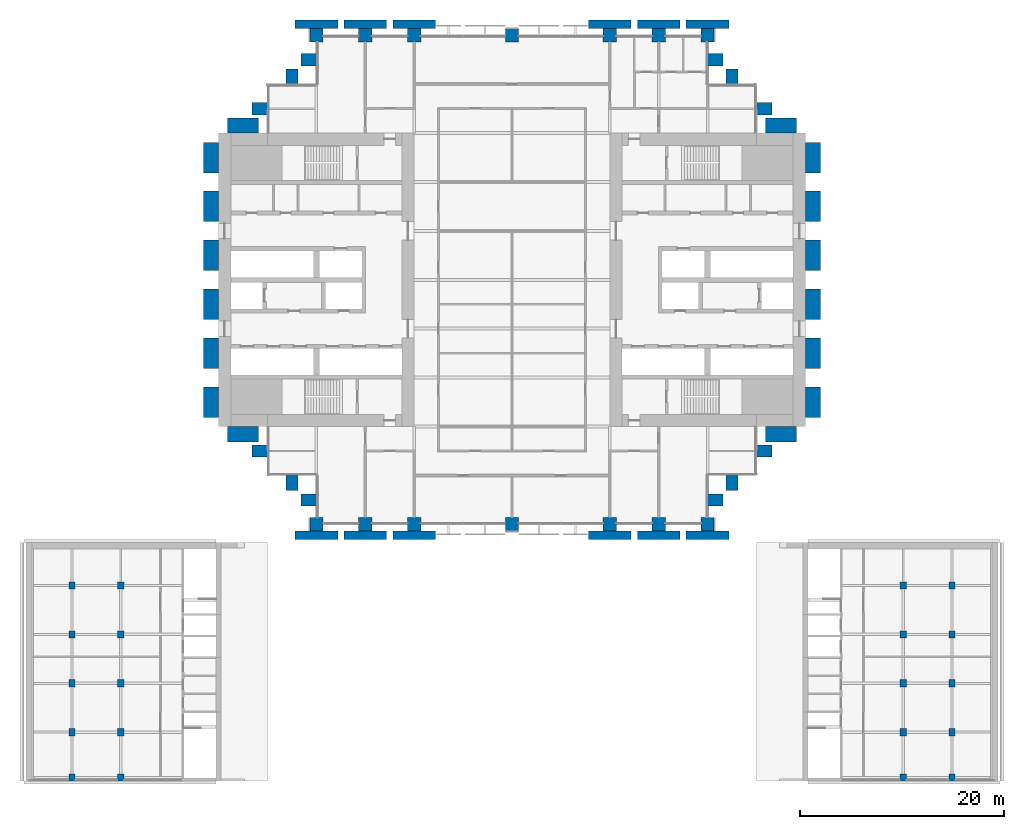
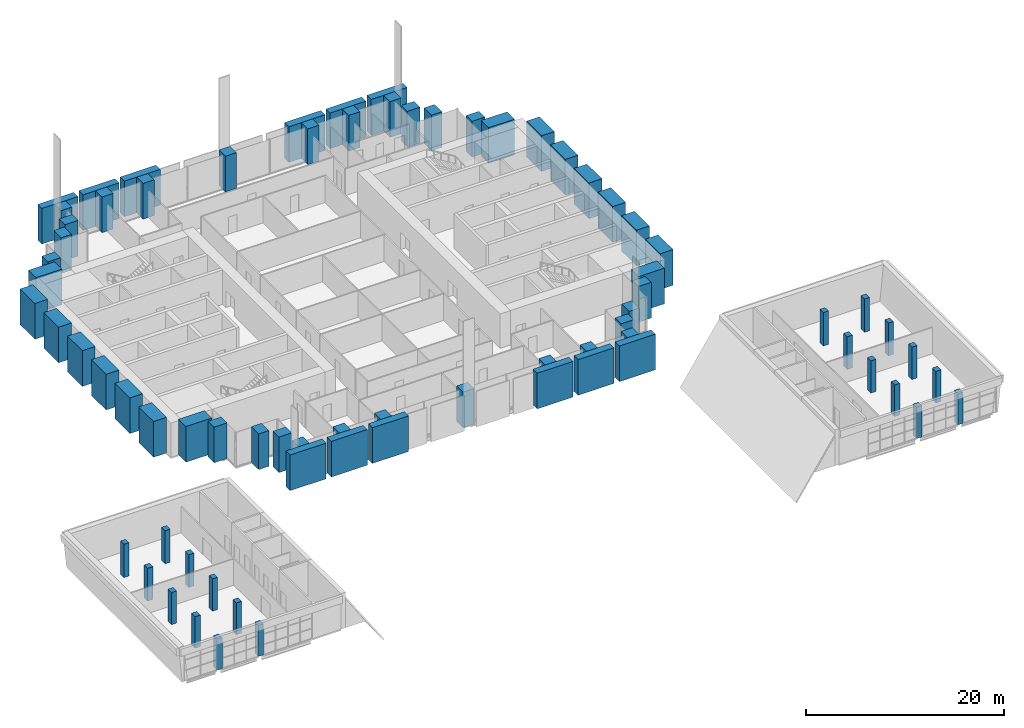
# One storey, part 1 of 22: 74 columns.
"""IFC4 building model written with IfcOpenShell, lengths in metres."""

from ifc_helpers import new_model, si_unit, direction, frame, origin, origin_2d, place, context, subcontext, project, spatial, rectangle, extrude, material, material_profile, profile_set, type_object, element, save


model = new_model("IFC4")

# Units and contexts
model_context = context("Model", 3, precision=1e-05, world=origin(), true_north=direction((0.0, 1.0)))
body_context = subcontext(model_context, "Body", "Model", "MODEL_VIEW")
ifc_project = project(units=[si_unit("LENGTHUNIT", "METRE"), si_unit("AREAUNIT", "SQUARE_METRE"), si_unit("VOLUMEUNIT", "CUBIC_METRE"), si_unit("PLANEANGLEUNIT", "RADIAN"), si_unit("MASSUNIT", "GRAM", prefix="KILO")], contexts=[model_context])

# Site, building, storey
site_placement = place(None, origin())
site = spatial("IfcSite", under=ifc_project, at=site_placement, CompositionType="ELEMENT")
building_placement = place(site_placement, origin())
building = spatial("IfcBuilding", under=site, at=building_placement, Name="Baori Bourse Tower", CompositionType="ELEMENT")
storey_placement = place(building_placement, frame((0.0, 0.0, 25.800048828125)))
storey = spatial("IfcBuildingStorey", under=building, at=storey_placement, Name="L04", CompositionType="ELEMENT", Elevation=25.800048828125)

# Columns
ifc_material_1 = material(Name="Concrete f'c 60 MPa", Category="concrete")
ifc_material_profile_1 = material_profile(ifc_material_1, rectangle(XDim=1.199951171875, YDim=1.5, at=origin_2d()), Name="RC 1200x1500")
ifc_profile_set_1 = profile_set([ifc_material_profile_1], Name="Concrete f'c 60 MPa")
column_type_1 = type_object("IfcColumnType", Name="FN2 Brick pilaster", PredefinedType="PILASTER", material=ifc_profile_set_1)
for number, where, z_axis, x_axis, name in (
    (1, (53.550048828125, 40.800048828125, 0.0), (0.0, 0.0, 1.0), (0.0, 1.0, 0.0), "Brick pilaster L04 1"),
    (2, (50.39990234375, 43.949951171875, 0.0), (0.0, 0.0, 1.0), (1.0, 0.0, 0.0), "Brick pilaster L04 2"),
    (3, (48.75, 45.60009765625, 0.0), (0.0, 0.0, 1.0), (0.0, 1.0, 0.0), "Brick pilaster L04 3"),
    (4, (8.85009765625, 45.60009765625, 0.0), (0.0, 0.0, 1.0), (0.0, 1.0, 0.0), "Brick pilaster L04 4"),
    (5, (7.199951171875, 43.949951171875, 0.0), (0.0, 0.0, 1.0), (1.0, 0.0, 0.0), "Brick pilaster L04 5"),
    (6, (4.050048828125, 40.800048828125, 0.0), (0.0, 0.0, 1.0), (0.0, 1.0, 0.0), "Brick pilaster L04 6"),
    (7, (4.050048828125, 7.199951171875, 0.0), (0.0, 0.0, 1.0), (0.0, 1.0, 0.0), "Brick pilaster L04 7"),
    (8, (7.199951171875, 4.050048828125, 0.0), (0.0, 0.0, 1.0), (1.0, 0.0, 0.0), "Brick pilaster L04 8"),
    (9, (8.85009765625, 2.39990234375, 0.0), (0.0, 0.0, 1.0), (0.0, 1.0, 0.0), "Brick pilaster L04 9"),
    (10, (48.75, 2.39990234375, 0.0), (0.0, 0.0, 1.0), (0.0, 1.0, 0.0), "Brick pilaster L04 10"),
    (11, (50.39990234375, 4.050048828125, 0.0), (0.0, 0.0, 1.0), (1.0, 0.0, 0.0), "Brick pilaster L04 11"),
    (12, (53.550048828125, 7.199951171875, 0.0), (0.0, 0.0, 1.0), (0.0, 1.0, 0.0), "Brick pilaster L04 12"),
):
    element("IfcColumn", number, at=place(storey_placement, frame(where, z_axis=z_axis, x_axis=x_axis)), inside=storey, type_object=column_type_1, Name=name, PredefinedType="PILASTER", context=body_context, shape_type="SweptSolid", body=[
        extrude(rectangle(XDim=1.199951171875, YDim=1.5, at=origin_2d()), origin(), (0.0, 0.0, 1.0), 4.39990234375),
    ])
ifc_material_2 = material(Name="Concrete f'c 60 MPa", Category="concrete")
ifc_material_profile_2 = material_profile(ifc_material_2, rectangle(XDim=4.199951171875, YDim=0.85009765625, at=origin_2d()), Name="RC 4200x850")
ifc_profile_set_2 = profile_set([ifc_material_profile_2], Name="Concrete f'c 60 MPa")
column_type_2 = type_object("IfcColumnType", Name="FN3 Brick pilaster 4200x850", PredefinedType="PILASTER", material=ifc_profile_set_2)
for number, where, z_axis, x_axis, name in (
    (13, (9.60009765625, -1.074951171875, 0.0), (0.0, 0.0, 1.0), (1.0, 0.0, 0.0), "Brick pilaster L04 29"),
    (14, (14.39990234375, -1.074951171875, 0.0), (0.0, 0.0, 1.0), (1.0, 0.0, 0.0), "Brick pilaster L04 30"),
    (15, (19.199951171875, -1.074951171875, 0.0), (0.0, 0.0, 1.0), (1.0, 0.0, 0.0), "Brick pilaster L04 31"),
    (16, (38.39990234375, -1.074951171875, 0.0), (0.0, 0.0, 1.0), (1.0, 0.0, 0.0), "Brick pilaster L04 32"),
    (17, (43.199951171875, -1.074951171875, 0.0), (0.0, 0.0, 1.0), (1.0, 0.0, 0.0), "Brick pilaster L04 33"),
    (18, (48.0, -1.074951171875, 0.0), (0.0, 0.0, 1.0), (1.0, 0.0, 0.0), "Brick pilaster L04 34"),
    (19, (9.60009765625, 49.074951171875, 0.0), (0.0, 0.0, 1.0), (1.0, 0.0, 0.0), "Brick pilaster L04 35"),
    (20, (14.39990234375, 49.074951171875, 0.0), (0.0, 0.0, 1.0), (1.0, 0.0, 0.0), "Brick pilaster L04 36"),
    (21, (19.199951171875, 49.074951171875, 0.0), (0.0, 0.0, 1.0), (1.0, 0.0, 0.0), "Brick pilaster L04 37"),
    (22, (38.39990234375, 49.074951171875, 0.0), (0.0, 0.0, 1.0), (1.0, 0.0, 0.0), "Brick pilaster L04 38"),
    (23, (43.199951171875, 49.074951171875, 0.0), (0.0, 0.0, 1.0), (1.0, 0.0, 0.0), "Brick pilaster L04 39"),
    (24, (48.0, 49.074951171875, 0.0), (0.0, 0.0, 1.0), (1.0, 0.0, 0.0), "Brick pilaster L04 40"),
):
    element("IfcColumn", number, at=place(storey_placement, frame(where, z_axis=z_axis, x_axis=x_axis)), inside=storey, type_object=column_type_2, Name=name, PredefinedType="PILASTER", context=body_context, shape_type="SweptSolid", body=[
        extrude(rectangle(XDim=4.199951171875, YDim=0.85009765625, at=origin_2d()), origin(), (0.0, 0.0, 1.0), 4.39990234375),
    ])
ifc_material_3 = material(Name="Concrete f'c 60 MPa", Category="concrete")
ifc_material_profile_3 = material_profile(ifc_material_3, rectangle(XDim=3.0, YDim=1.5, at=origin_2d()), Name="RC 3000x1500")
ifc_profile_set_3 = profile_set([ifc_material_profile_3], Name="Concrete f'c 60 MPa")
column_type_3 = type_object("IfcColumnType", Name="FN4 Brick flank pilaster 3000x1500", PredefinedType="PILASTER", material=ifc_profile_set_3)
for number, where, z_axis, x_axis, name in (
    (25, (55.199951171875, 8.85009765625, 0.0), (0.0, 0.0, 1.0), (1.0, 0.0, 0.0), "Brick pilaster L04 13"),
    (26, (58.35009765625, 12.0, 0.0), (0.0, 0.0, 1.0), (0.0, 1.0, 0.0), "Brick pilaster L04 14"),
    (27, (58.35009765625, 16.800048828125, 0.0), (0.0, 0.0, 1.0), (0.0, 1.0, 0.0), "Brick pilaster L04 15"),
    (28, (58.35009765625, 21.60009765625, 0.0), (0.0, 0.0, 1.0), (0.0, 1.0, 0.0), "Brick pilaster L04 16"),
    (29, (58.35009765625, 26.39990234375, 0.0), (0.0, 0.0, 1.0), (0.0, 1.0, 0.0), "Brick pilaster L04 17"),
    (30, (58.35009765625, 31.199951171875, 0.0), (0.0, 0.0, 1.0), (0.0, 1.0, 0.0), "Brick pilaster L04 18"),
    (31, (58.35009765625, 36.0, 0.0), (0.0, 0.0, 1.0), (0.0, 1.0, 0.0), "Brick pilaster L04 19"),
    (32, (55.199951171875, 39.14990234375, 0.0), (0.0, 0.0, 1.0), (1.0, 0.0, 0.0), "Brick pilaster L04 20"),
    (33, (2.39990234375, 39.14990234375, 0.0), (0.0, 0.0, 1.0), (1.0, 0.0, 0.0), "Brick pilaster L04 21"),
    (34, (-0.75, 12.0, 0.0), (0.0, 0.0, 1.0), (0.0, 1.0, 0.0), "Brick pilaster L04 22"),
    (35, (-0.75, 16.800048828125, 0.0), (0.0, 0.0, 1.0), (0.0, 1.0, 0.0), "Brick pilaster L04 23"),
    (36, (-0.75, 21.60009765625, 0.0), (0.0, 0.0, 1.0), (0.0, 1.0, 0.0), "Brick pilaster L04 24"),
    (37, (-0.75, 26.39990234375, 0.0), (0.0, 0.0, 1.0), (0.0, 1.0, 0.0), "Brick pilaster L04 25"),
    (38, (-0.75, 31.199951171875, 0.0), (0.0, 0.0, 1.0), (0.0, 1.0, 0.0), "Brick pilaster L04 26"),
    (39, (-0.75, 36.0, 0.0), (0.0, 0.0, 1.0), (0.0, 1.0, 0.0), "Brick pilaster L04 27"),
    (40, (2.39990234375, 8.85009765625, 0.0), (0.0, 0.0, 1.0), (1.0, 0.0, 0.0), "Brick pilaster L04 28"),
):
    element("IfcColumn", number, at=place(storey_placement, frame(where, z_axis=z_axis, x_axis=x_axis)), inside=storey, type_object=column_type_3, Name=name, PredefinedType="PILASTER", context=body_context, shape_type="SweptSolid", body=[
        extrude(rectangle(XDim=3.0, YDim=1.5, at=origin_2d()), origin(), (0.0, 0.0, 1.0), 4.39990234375),
    ])
ifc_material_4 = material(Name="Concrete f'c 70 MPa", Category="concrete")
ifc_material_profile_4 = material_profile(ifc_material_4, rectangle(XDim=1.300048828125, YDim=1.300048828125, at=origin_2d()), Name="RC 1300x1300")
ifc_profile_set_4 = profile_set([ifc_material_profile_4], Name="Concrete f'c 70 MPa")
column_type_4 = type_object("IfcColumnType", Name="Perimeter column RC 1300x1300", PredefinedType="COLUMN", material=ifc_profile_set_4)
for number, where, z_axis, x_axis, name in (
    (41, (9.60009765625, 0.0, 0.0), (0.0, 0.0, 1.0), (1.0, 0.0, 0.0), "Perimeter column L04"),
    (42, (14.39990234375, 0.0, 0.0), (0.0, 0.0, 1.0), (1.0, 0.0, 0.0), "Perimeter column L04"),
    (43, (19.199951171875, 0.0, 0.0), (0.0, 0.0, 1.0), (1.0, 0.0, 0.0), "Perimeter column L04"),
    (44, (28.800048828125, 0.0, 0.0), (0.0, 0.0, 1.0), (1.0, 0.0, 0.0), "Perimeter column L04"),
    (45, (38.39990234375, 0.0, 0.0), (0.0, 0.0, 1.0), (1.0, 0.0, 0.0), "Perimeter column L04"),
    (46, (43.199951171875, 0.0, 0.0), (0.0, 0.0, 1.0), (1.0, 0.0, 0.0), "Perimeter column L04"),
    (47, (48.0, 0.0, 0.0), (0.0, 0.0, 1.0), (1.0, 0.0, 0.0), "Perimeter column L04"),
    (48, (9.60009765625, 48.0, 0.0), (0.0, 0.0, 1.0), (1.0, 0.0, 0.0), "Perimeter column L04"),
    (49, (14.39990234375, 48.0, 0.0), (0.0, 0.0, 1.0), (1.0, 0.0, 0.0), "Perimeter column L04"),
    (50, (19.199951171875, 48.0, 0.0), (0.0, 0.0, 1.0), (1.0, 0.0, 0.0), "Perimeter column L04"),
    (51, (28.800048828125, 48.0, 0.0), (0.0, 0.0, 1.0), (1.0, 0.0, 0.0), "Perimeter column L04"),
    (52, (38.39990234375, 48.0, 0.0), (0.0, 0.0, 1.0), (1.0, 0.0, 0.0), "Perimeter column L04"),
    (53, (43.199951171875, 48.0, 0.0), (0.0, 0.0, 1.0), (1.0, 0.0, 0.0), "Perimeter column L04"),
    (54, (48.0, 48.0, 0.0), (0.0, 0.0, 1.0), (1.0, 0.0, 0.0), "Perimeter column L04"),
):
    element("IfcColumn", number, at=place(storey_placement, frame(where, z_axis=z_axis, x_axis=x_axis)), inside=storey, type_object=column_type_4, Name=name, PredefinedType="COLUMN", context=body_context, shape_type="SweptSolid", body=[
        extrude(rectangle(XDim=1.300048828125, YDim=1.300048828125, at=origin_2d()), origin(), (0.0, 0.0, 1.0), 4.39990234375),
    ])
ifc_material_5 = material(Name="Concrete f'c 40 MPa", Category="concrete")
ifc_material_profile_5 = material_profile(ifc_material_5, rectangle(XDim=0.60009765625, YDim=0.699951171875, at=origin_2d()), Name="Wing column 600")
ifc_profile_set_5 = profile_set([ifc_material_profile_5], Name="Concrete f'c 40 MPa")
column_type_5 = type_object("IfcColumnType", Name="Wing column 600", PredefinedType="COLUMN", material=ifc_profile_set_5)
column_1_placement = place(storey_placement, frame((-14.39990234375, -24.85009765625, 0.0), z_axis=(0.0, 0.0, 1.0), x_axis=(1.0, 0.0, 0.0)))
element("IfcColumn", 55, at=column_1_placement, inside=storey, type_object=column_type_5, Name="wing/L04/Wcol/001", PredefinedType="COLUMN", context=body_context, shape_type="SweptSolid", body=[
    extrude(rectangle(XDim=0.60009765625, YDim=0.699951171875, at=origin_2d()), origin(), (0.0, 0.0, 1.0), 3.8544921875),
])
column_2_placement = place(storey_placement, frame((-14.39990234375, -20.39990234375, 0.0), z_axis=(0.0, 0.0, 1.0), x_axis=(1.0, 0.0, 0.0)))
element("IfcColumn", 56, at=column_2_placement, inside=storey, type_object=column_type_5, Name="wing/L04/Wcol/002", PredefinedType="COLUMN", context=body_context, shape_type="SweptSolid", body=[
    extrude(rectangle(XDim=0.60009765625, YDim=0.699951171875, at=origin_2d()), origin(), (0.0, 0.0, 1.0), 3.9130859375),
])
column_3_placement = place(storey_placement, frame((-14.39990234375, -15.60009765625, 0.0), z_axis=(0.0, 0.0, 1.0), x_axis=(1.0, 0.0, 0.0)))
element("IfcColumn", 57, at=column_3_placement, inside=storey, type_object=column_type_5, Name="wing/L04/Wcol/003", PredefinedType="COLUMN", context=body_context, shape_type="SweptSolid", body=[
    extrude(rectangle(XDim=0.60009765625, YDim=0.699951171875, at=origin_2d()), origin(), (0.0, 0.0, 1.0), 3.976318359375),
])
column_4_placement = place(storey_placement, frame((-14.39990234375, -10.800048828125, 0.0), z_axis=(0.0, 0.0, 1.0), x_axis=(1.0, 0.0, 0.0)))
element("IfcColumn", 58, at=column_4_placement, inside=storey, type_object=column_type_5, Name="wing/L04/Wcol/004", PredefinedType="COLUMN", context=body_context, shape_type="SweptSolid", body=[
    extrude(rectangle(XDim=0.60009765625, YDim=0.699951171875, at=origin_2d()), origin(), (0.0, 0.0, 1.0), 4.039306640625),
])
column_5_placement = place(storey_placement, frame((-14.39990234375, -6.0, 0.0), z_axis=(0.0, 0.0, 1.0), x_axis=(1.0, 0.0, 0.0)))
element("IfcColumn", 59, at=column_5_placement, inside=storey, type_object=column_type_5, Name="wing/L04/Wcol/005", PredefinedType="COLUMN", context=body_context, shape_type="SweptSolid", body=[
    extrude(rectangle(XDim=0.60009765625, YDim=0.699951171875, at=origin_2d()), origin(), (0.0, 0.0, 1.0), 4.1025390625),
])
column_6_placement = place(storey_placement, frame((-9.60009765625, -24.85009765625, 0.0), z_axis=(0.0, 0.0, 1.0), x_axis=(1.0, 0.0, 0.0)))
element("IfcColumn", 60, at=column_6_placement, inside=storey, type_object=column_type_5, Name="wing/L04/Wcol/006", PredefinedType="COLUMN", context=body_context, shape_type="SweptSolid", body=[
    extrude(rectangle(XDim=0.60009765625, YDim=0.699951171875, at=origin_2d()), origin(), (0.0, 0.0, 1.0), 3.8544921875),
])
column_7_placement = place(storey_placement, frame((-9.60009765625, -20.39990234375, 0.0), z_axis=(0.0, 0.0, 1.0), x_axis=(1.0, 0.0, 0.0)))
element("IfcColumn", 61, at=column_7_placement, inside=storey, type_object=column_type_5, Name="wing/L04/Wcol/007", PredefinedType="COLUMN", context=body_context, shape_type="SweptSolid", body=[
    extrude(rectangle(XDim=0.60009765625, YDim=0.699951171875, at=origin_2d()), origin(), (0.0, 0.0, 1.0), 3.9130859375),
])
column_8_placement = place(storey_placement, frame((-9.60009765625, -15.60009765625, 0.0), z_axis=(0.0, 0.0, 1.0), x_axis=(1.0, 0.0, 0.0)))
element("IfcColumn", 62, at=column_8_placement, inside=storey, type_object=column_type_5, Name="wing/L04/Wcol/008", PredefinedType="COLUMN", context=body_context, shape_type="SweptSolid", body=[
    extrude(rectangle(XDim=0.60009765625, YDim=0.699951171875, at=origin_2d()), origin(), (0.0, 0.0, 1.0), 3.976318359375),
])
column_9_placement = place(storey_placement, frame((-9.60009765625, -10.800048828125, 0.0), z_axis=(0.0, 0.0, 1.0), x_axis=(1.0, 0.0, 0.0)))
element("IfcColumn", 63, at=column_9_placement, inside=storey, type_object=column_type_5, Name="wing/L04/Wcol/009", PredefinedType="COLUMN", context=body_context, shape_type="SweptSolid", body=[
    extrude(rectangle(XDim=0.60009765625, YDim=0.699951171875, at=origin_2d()), origin(), (0.0, 0.0, 1.0), 4.039306640625),
])
column_10_placement = place(storey_placement, frame((-9.60009765625, -6.0, 0.0), z_axis=(0.0, 0.0, 1.0), x_axis=(1.0, 0.0, 0.0)))
element("IfcColumn", 64, at=column_10_placement, inside=storey, type_object=column_type_5, Name="wing/L04/Wcol/010", PredefinedType="COLUMN", context=body_context, shape_type="SweptSolid", body=[
    extrude(rectangle(XDim=0.60009765625, YDim=0.699951171875, at=origin_2d()), origin(), (0.0, 0.0, 1.0), 4.1025390625),
])
column_11_placement = place(storey_placement, frame((72.0, -24.85009765625, 0.0), z_axis=(0.0, 0.0, 1.0), x_axis=(1.0, 0.0, 0.0)))
element("IfcColumn", 65, at=column_11_placement, inside=storey, type_object=column_type_5, Name="wing/L04/Ecol/001", PredefinedType="COLUMN", context=body_context, shape_type="SweptSolid", body=[
    extrude(rectangle(XDim=0.60009765625, YDim=0.699951171875, at=origin_2d()), origin(), (0.0, 0.0, 1.0), 3.8544921875),
])
column_12_placement = place(storey_placement, frame((72.0, -20.39990234375, 0.0), z_axis=(0.0, 0.0, 1.0), x_axis=(1.0, 0.0, 0.0)))
element("IfcColumn", 66, at=column_12_placement, inside=storey, type_object=column_type_5, Name="wing/L04/Ecol/002", PredefinedType="COLUMN", context=body_context, shape_type="SweptSolid", body=[
    extrude(rectangle(XDim=0.60009765625, YDim=0.699951171875, at=origin_2d()), origin(), (0.0, 0.0, 1.0), 3.9130859375),
])
column_13_placement = place(storey_placement, frame((72.0, -15.60009765625, 0.0), z_axis=(0.0, 0.0, 1.0), x_axis=(1.0, 0.0, 0.0)))
element("IfcColumn", 67, at=column_13_placement, inside=storey, type_object=column_type_5, Name="wing/L04/Ecol/003", PredefinedType="COLUMN", context=body_context, shape_type="SweptSolid", body=[
    extrude(rectangle(XDim=0.60009765625, YDim=0.699951171875, at=origin_2d()), origin(), (0.0, 0.0, 1.0), 3.976318359375),
])
column_14_placement = place(storey_placement, frame((72.0, -10.800048828125, 0.0), z_axis=(0.0, 0.0, 1.0), x_axis=(1.0, 0.0, 0.0)))
element("IfcColumn", 68, at=column_14_placement, inside=storey, type_object=column_type_5, Name="wing/L04/Ecol/004", PredefinedType="COLUMN", context=body_context, shape_type="SweptSolid", body=[
    extrude(rectangle(XDim=0.60009765625, YDim=0.699951171875, at=origin_2d()), origin(), (0.0, 0.0, 1.0), 4.039306640625),
])
column_15_placement = place(storey_placement, frame((72.0, -6.0, 0.0), z_axis=(0.0, 0.0, 1.0), x_axis=(1.0, 0.0, 0.0)))
element("IfcColumn", 69, at=column_15_placement, inside=storey, type_object=column_type_5, Name="wing/L04/Ecol/005", PredefinedType="COLUMN", context=body_context, shape_type="SweptSolid", body=[
    extrude(rectangle(XDim=0.60009765625, YDim=0.699951171875, at=origin_2d()), origin(), (0.0, 0.0, 1.0), 4.1025390625),
])
column_16_placement = place(storey_placement, frame((67.199951171875, -24.85009765625, 0.0), z_axis=(0.0, 0.0, 1.0), x_axis=(1.0, 0.0, 0.0)))
element("IfcColumn", 70, at=column_16_placement, inside=storey, type_object=column_type_5, Name="wing/L04/Ecol/006", PredefinedType="COLUMN", context=body_context, shape_type="SweptSolid", body=[
    extrude(rectangle(XDim=0.60009765625, YDim=0.699951171875, at=origin_2d()), origin(), (0.0, 0.0, 1.0), 3.8544921875),
])
column_17_placement = place(storey_placement, frame((67.199951171875, -20.39990234375, 0.0), z_axis=(0.0, 0.0, 1.0), x_axis=(1.0, 0.0, 0.0)))
element("IfcColumn", 71, at=column_17_placement, inside=storey, type_object=column_type_5, Name="wing/L04/Ecol/007", PredefinedType="COLUMN", context=body_context, shape_type="SweptSolid", body=[
    extrude(rectangle(XDim=0.60009765625, YDim=0.699951171875, at=origin_2d()), origin(), (0.0, 0.0, 1.0), 3.9130859375),
])
column_18_placement = place(storey_placement, frame((67.199951171875, -15.60009765625, 0.0), z_axis=(0.0, 0.0, 1.0), x_axis=(1.0, 0.0, 0.0)))
element("IfcColumn", 72, at=column_18_placement, inside=storey, type_object=column_type_5, Name="wing/L04/Ecol/008", PredefinedType="COLUMN", context=body_context, shape_type="SweptSolid", body=[
    extrude(rectangle(XDim=0.60009765625, YDim=0.699951171875, at=origin_2d()), origin(), (0.0, 0.0, 1.0), 3.976318359375),
])
column_19_placement = place(storey_placement, frame((67.199951171875, -10.800048828125, 0.0), z_axis=(0.0, 0.0, 1.0), x_axis=(1.0, 0.0, 0.0)))
element("IfcColumn", 73, at=column_19_placement, inside=storey, type_object=column_type_5, Name="wing/L04/Ecol/009", PredefinedType="COLUMN", context=body_context, shape_type="SweptSolid", body=[
    extrude(rectangle(XDim=0.60009765625, YDim=0.699951171875, at=origin_2d()), origin(), (0.0, 0.0, 1.0), 4.039306640625),
])
column_20_placement = place(storey_placement, frame((67.199951171875, -6.0, 0.0), z_axis=(0.0, 0.0, 1.0), x_axis=(1.0, 0.0, 0.0)))
element("IfcColumn", 74, at=column_20_placement, inside=storey, type_object=column_type_5, Name="wing/L04/Ecol/010", PredefinedType="COLUMN", context=body_context, shape_type="SweptSolid", body=[
    extrude(rectangle(XDim=0.60009765625, YDim=0.699951171875, at=origin_2d()), origin(), (0.0, 0.0, 1.0), 4.1025390625),
])

save(model, "model.ifc")
